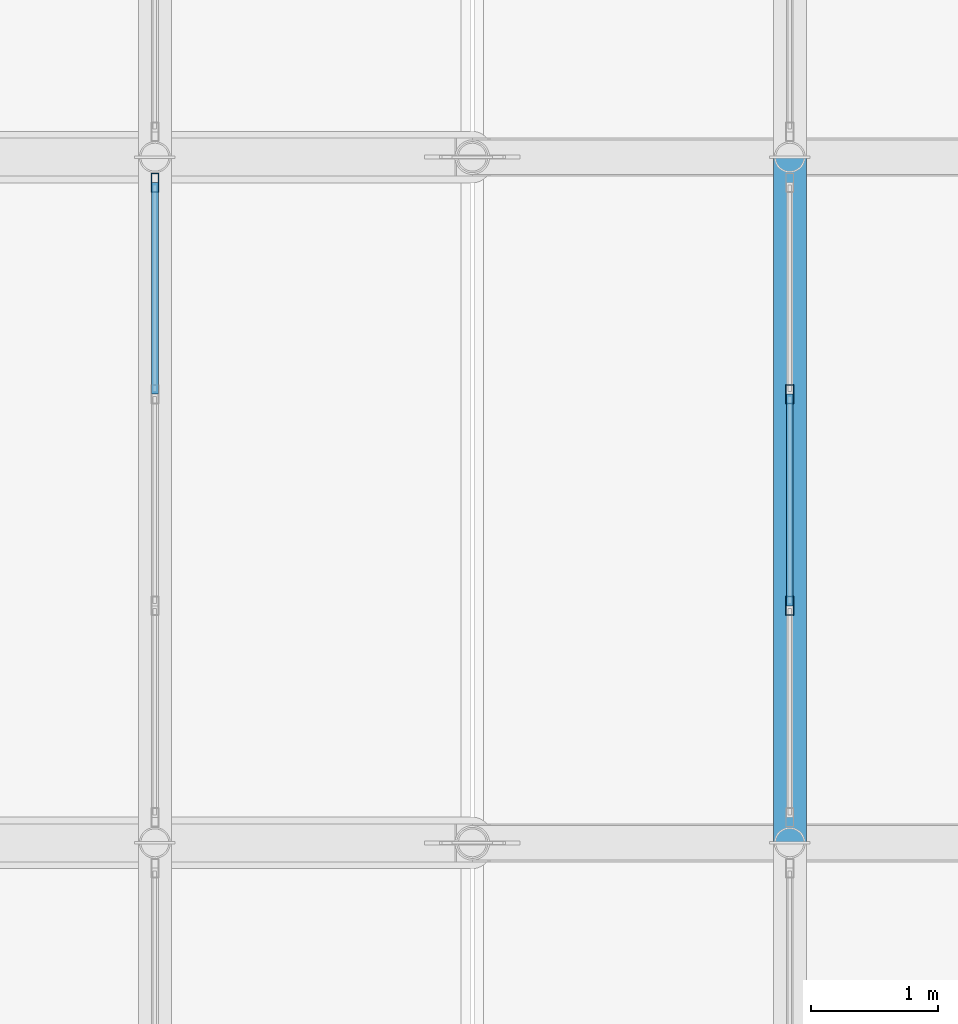
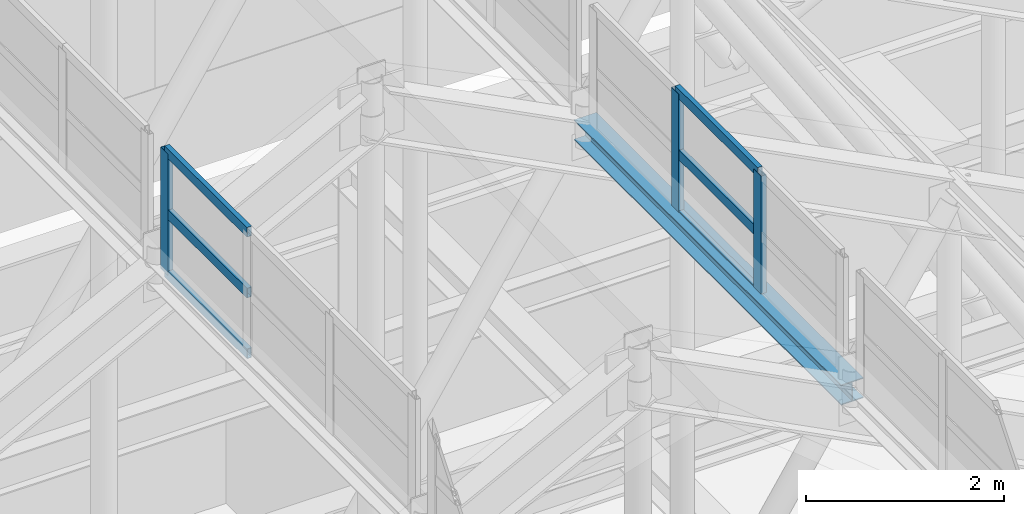
# One storey, part 40 of 84: 9 members, 1 beam, 2 elements without a shape of their own.
"""IFC4 building model written with IfcOpenShell, lengths in metres."""

from ifc_helpers import new_model, si_unit, direction, frame, origin, origin_2d, place, context, subcontext, project, spatial, hollow_rectangle, i_section, extrude, material, layer, layer_set, material_profile, profile_set, type_object, element, aggregate, save


model = new_model("IFC4")

# Units and contexts
model_context = context("Model", 3, precision=1e-05, world=origin(), true_north=direction((0.0, 1.0)))
body_context = subcontext(model_context, "Body", "Model", "MODEL_VIEW")
ifc_project = project(units=[si_unit("LENGTHUNIT", "METRE"), si_unit("AREAUNIT", "SQUARE_METRE"), si_unit("VOLUMEUNIT", "CUBIC_METRE"), si_unit("PLANEANGLEUNIT", "RADIAN"), si_unit("MASSUNIT", "GRAM", prefix="KILO")], contexts=[model_context])

# Site, building, storey
site_placement = place(None, origin())
site = spatial("IfcSite", under=ifc_project, at=site_placement, CompositionType="ELEMENT")
building_placement = place(site_placement, origin())
building = spatial("IfcBuilding", under=site, at=building_placement, Name="Sundgate Opera House", CompositionType="ELEMENT")
storey_placement = place(building_placement, frame((0.0, 0.0, 30.60009765625)))
storey = spatial("IfcBuildingStorey", under=building, at=storey_placement, Name="L06", CompositionType="ELEMENT", Elevation=30.60009765625)

# Beam
ifc_material_1 = material(Name="Steel S355J2", Category="steel")
ifc_material_profile_1 = material_profile(ifc_material_1, i_section(OverallWidth=0.260009765625, OverallDepth=0.25, WebThickness=0.007568359375, FlangeThickness=0.012451171875, at=origin_2d()), Name="HEA 260")
ifc_profile_set_1 = profile_set([ifc_material_profile_1], Name="Steel S355J2")
beam_type = type_object("IfcBeamType", Name="BM-LN-HEA260", PredefinedType="LINTEL", material=ifc_profile_set_1)
beam_placement = place(storey_placement, frame((56.5, 65.39990234375, 16.119873046875), z_axis=(0.0, 1.0, 0.0), x_axis=(-1.0, 0.0, 0.0)))
element("IfcBeam", 1, at=beam_placement, inside=storey, type_object=beam_type, Name="L06 Crown Clerestory Curb Beam BS035", PredefinedType="LINTEL", context=body_context, shape_type="SweptSolid", body=[
    extrude(i_section(OverallWidth=0.260009765625, OverallDepth=0.25, WebThickness=0.007568359375, FlangeThickness=0.012451171875, at=origin_2d()), origin(), (0.0, 0.0, 1.0), 5.400146484375),
])

# Curtain wall, member
ifc_material_2 = material(Name="Anodized aluminium and low-iron glass", Category="aluminium")
ifc_layer = layer(ifc_material_2, 0.169921875)
ifc_layer_set = layer_set([ifc_layer], Name="Anodized aluminium and low-iron glass")
curtain_wall_type = type_object("IfcCurtainWallType", Name="CW-LANTERN-POLY", PredefinedType="NOTDEFINED", material=ifc_layer_set)
curtain_wall_1_placement = place(storey_placement, origin())
curtain_wall_1 = element("IfcCurtainWall", 2, at=curtain_wall_1_placement, inside=storey, type_object=curtain_wall_type, Name="L06 Curtain Wall CW181", PredefinedType="NOTDEFINED")
ifc_material_3 = material(Name="Anodized aluminium EN AW-6063", Category="aluminium")
ifc_material_profile_2 = material_profile(ifc_material_3, hollow_rectangle(XDim=0.06005859375, YDim=0.14990234375, WallThickness=0.00390625, at=origin_2d()), Name="CWM 150x60x4")
ifc_profile_set_2 = profile_set([ifc_material_profile_2], Name="Anodized aluminium EN AW-6063")
member_type_1 = type_object("IfcMemberType", Name="CWM-ALU-150x60", PredefinedType="MULLION", material=ifc_profile_set_2)
member_1_placement = place(storey_placement, frame((51.5, 70.60009765625, 16.199951171875), z_axis=(0.0, 0.0, 1.0), x_axis=(1.0, 0.0, 0.0)))
member_1 = element("IfcMember", 3, at=member_1_placement, type_object=member_type_1, Name="CW181 Mullion 1", PredefinedType="MULLION", context=body_context, shape_type="SweptSolid", body=[
    extrude(hollow_rectangle(XDim=0.06005859375, YDim=0.14990234375, WallThickness=0.00390625, at=origin_2d()), origin(), (0.0, 0.0, 1.0), 1.5),
])

# Curtain wall, members
curtain_wall_2_placement = place(storey_placement, origin())
curtain_wall_2 = element("IfcCurtainWall", 4, at=curtain_wall_2_placement, inside=storey, type_object=curtain_wall_type, Name="L06 Curtain Wall CW182", PredefinedType="NOTDEFINED")
member_2_placement = place(storey_placement, frame((56.5, 67.2666015625, 16.199951171875), z_axis=(0.0, 0.0, 1.0), x_axis=(1.0, 0.0, 0.0)))
member_2 = element("IfcMember", 5, at=member_2_placement, type_object=member_type_1, Name="CW182 Mullion 2", PredefinedType="MULLION", context=body_context, shape_type="SweptSolid", body=[
    extrude(hollow_rectangle(XDim=0.06005859375, YDim=0.14990234375, WallThickness=0.00390625, at=origin_2d()), origin(), (0.0, 0.0, 1.0), 1.5),
])
member_3_placement = place(storey_placement, frame((56.5, 68.933349609375, 16.199951171875), z_axis=(0.0, 0.0, 1.0), x_axis=(1.0, 0.0, 0.0)))
member_3 = element("IfcMember", 6, at=member_3_placement, type_object=member_type_1, Name="CW182 Mullion 3", PredefinedType="MULLION", context=body_context, shape_type="SweptSolid", body=[
    extrude(hollow_rectangle(XDim=0.06005859375, YDim=0.14990234375, WallThickness=0.00390625, at=origin_2d()), origin(), (0.0, 0.0, 1.0), 1.5),
])

# Member
ifc_material_4 = material(Name="Anodized aluminium EN AW-6063", Category="aluminium")
ifc_material_profile_3 = material_profile(ifc_material_4, hollow_rectangle(XDim=0.054931640625, YDim=0.1201171875, WallThickness=0.00390625, at=origin_2d()), Name="CWT 120x55x4")
ifc_profile_set_3 = profile_set([ifc_material_profile_3], Name="Anodized aluminium EN AW-6063")
member_type_2 = type_object("IfcMemberType", Name="CWT-ALU-120x55", PredefinedType="USERDEFINED", material=ifc_profile_set_3)
member_4_placement = place(storey_placement, frame((51.5, 70.60009765625, 16.199951171875), z_axis=(0.0, -1.0, 0.0), x_axis=(1.0, 0.0, 0.0)))
member_4 = element("IfcMember", 7, at=member_4_placement, type_object=member_type_2, Name="CW181 Transom 1", ObjectType="TRANSOM", PredefinedType="USERDEFINED", context=body_context, shape_type="SweptSolid", body=[
    extrude(hollow_rectangle(XDim=0.054931640625, YDim=0.1201171875, WallThickness=0.00390625, at=origin_2d()), origin(), (0.0, 0.0, 1.0), 1.666748046875),
])

member_5_placement = place(storey_placement, frame((51.5, 70.60009765625, 16.949951171875), z_axis=(0.0, -1.0, 0.0), x_axis=(1.0, 0.0, 0.0)))
member_5 = element("IfcMember", 8, at=member_5_placement, type_object=member_type_2, Name="CW181 Transom 2", ObjectType="TRANSOM", PredefinedType="USERDEFINED", context=body_context, shape_type="SweptSolid", body=[
    extrude(hollow_rectangle(XDim=0.054931640625, YDim=0.1201171875, WallThickness=0.00390625, at=origin_2d()), origin(), (0.0, 0.0, 1.0), 1.666748046875),
])

member_6_placement = place(storey_placement, frame((51.5, 70.60009765625, 17.699951171875), z_axis=(0.0, -1.0, 0.0), x_axis=(1.0, 0.0, 0.0)))
member_6 = element("IfcMember", 9, at=member_6_placement, type_object=member_type_2, Name="CW181 Transom 3", ObjectType="TRANSOM", PredefinedType="USERDEFINED", context=body_context, shape_type="SweptSolid", body=[
    extrude(hollow_rectangle(XDim=0.054931640625, YDim=0.1201171875, WallThickness=0.00390625, at=origin_2d()), origin(), (0.0, 0.0, 1.0), 1.666748046875),
])

aggregate(curtain_wall_1, [member_1, member_4, member_5, member_6])

member_7_placement = place(storey_placement, frame((56.5, 67.2666015625, 16.199951171875), z_axis=(0.0, 1.0, 0.0), x_axis=(-1.0, 0.0, 0.0)))
member_7 = element("IfcMember", 10, at=member_7_placement, type_object=member_type_2, Name="CW182 Transom 4", ObjectType="TRANSOM", PredefinedType="USERDEFINED", context=body_context, shape_type="SweptSolid", body=[
    extrude(hollow_rectangle(XDim=0.054931640625, YDim=0.1201171875, WallThickness=0.00390625, at=origin_2d()), origin(), (0.0, 0.0, 1.0), 1.666748046875),
])

member_8_placement = place(storey_placement, frame((56.5, 67.2666015625, 16.949951171875), z_axis=(0.0, 1.0, 0.0), x_axis=(-1.0, 0.0, 0.0)))
member_8 = element("IfcMember", 11, at=member_8_placement, type_object=member_type_2, Name="CW182 Transom 5", ObjectType="TRANSOM", PredefinedType="USERDEFINED", context=body_context, shape_type="SweptSolid", body=[
    extrude(hollow_rectangle(XDim=0.054931640625, YDim=0.1201171875, WallThickness=0.00390625, at=origin_2d()), origin(), (0.0, 0.0, 1.0), 1.666748046875),
])

member_9_placement = place(storey_placement, frame((56.5, 67.2666015625, 17.699951171875), z_axis=(0.0, 1.0, 0.0), x_axis=(-1.0, 0.0, 0.0)))
member_9 = element("IfcMember", 12, at=member_9_placement, type_object=member_type_2, Name="CW182 Transom 6", ObjectType="TRANSOM", PredefinedType="USERDEFINED", context=body_context, shape_type="SweptSolid", body=[
    extrude(hollow_rectangle(XDim=0.054931640625, YDim=0.1201171875, WallThickness=0.00390625, at=origin_2d()), origin(), (0.0, 0.0, 1.0), 1.666748046875),
])

aggregate(curtain_wall_2, [member_2, member_3, member_7, member_8, member_9])

save(model, "model.ifc")
